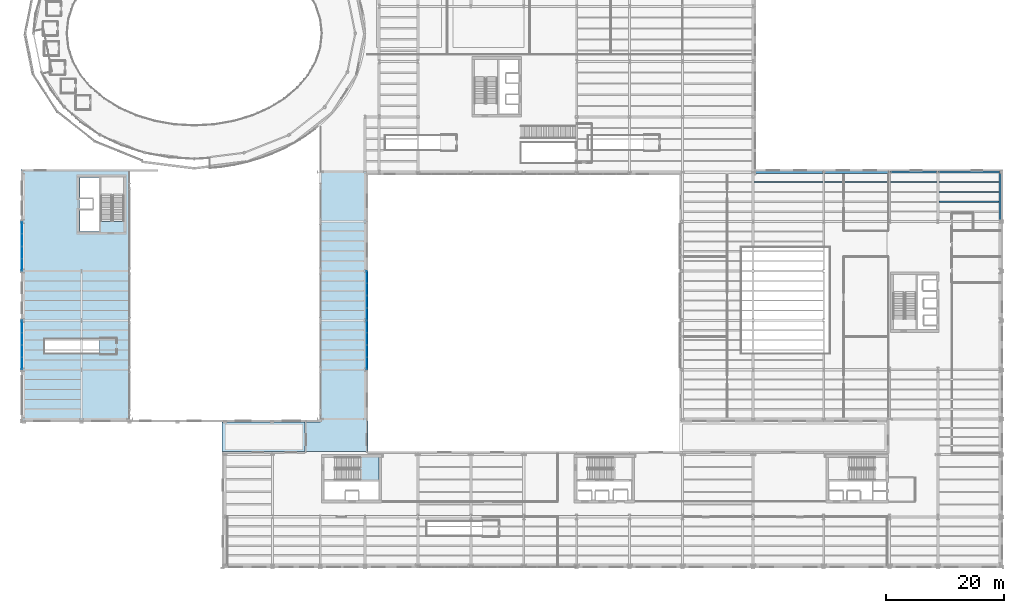
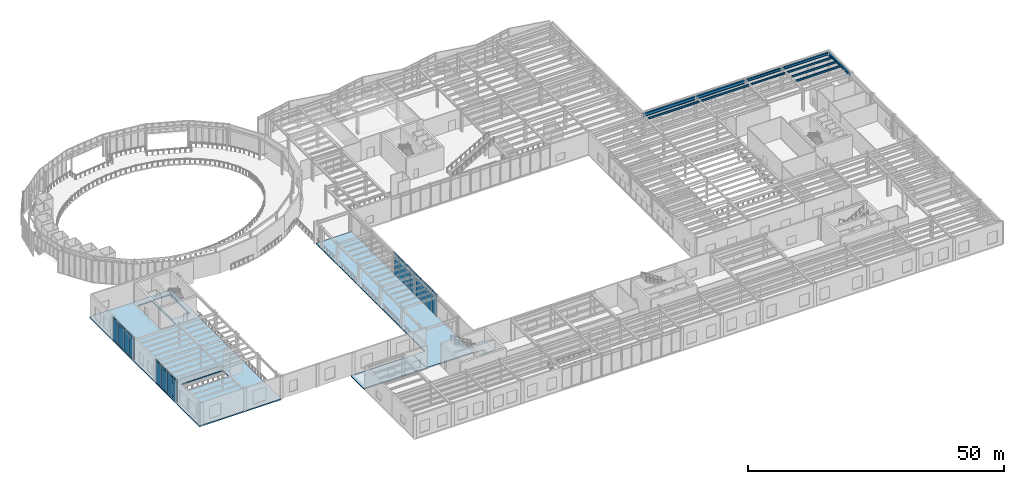
# One storey, part 67 of 98: 32 plates, 11 beams, 4 slabs, 9 elements without a shape of their own.
"""IFC4 building model written with IfcOpenShell, lengths in metres."""

from ifc_helpers import new_model, si_unit, direction, frame, origin, origin_2d, place, context, subcontext, project, spatial, polyline, rectangle, i_section, outline, extrude, material, layer, layer_set, material_profile, profile_set, type_object, element, aggregate, save


model = new_model("IFC4")

# Units and contexts
model_context = context("Model", 3, precision=1e-05, world=origin(), true_north=direction((0.0, 1.0)))
body_context = subcontext(model_context, "Body", "Model", "MODEL_VIEW")
ifc_project = project(units=[si_unit("LENGTHUNIT", "METRE"), si_unit("AREAUNIT", "SQUARE_METRE"), si_unit("VOLUMEUNIT", "CUBIC_METRE"), si_unit("PLANEANGLEUNIT", "RADIAN"), si_unit("MASSUNIT", "GRAM", prefix="KILO")], contexts=[model_context])

# Site, building, storey
site_placement = place(None, origin())
site = spatial("IfcSite", under=ifc_project, at=site_placement, CompositionType="ELEMENT")
building_placement = place(site_placement, origin())
building = spatial("IfcBuilding", under=site, at=building_placement, Name="Sollismere Congress Hotel", CompositionType="ELEMENT")
storey_placement = place(building_placement, frame((0.0, 0.0, 5.39990234375)))
storey = spatial("IfcBuildingStorey", under=building, at=storey_placement, Name="L01", CompositionType="ELEMENT", Elevation=5.39990234375)

# Beams
ifc_material_1 = material(Name="Steel ASTM A992 Grade 50", Category="steel")
ifc_material_profile_1 = material_profile(ifc_material_1, i_section(OverallWidth=0.324951171875, OverallDepth=0.612060546875, WebThickness=0.0126953125, FlangeThickness=0.01904296875, at=origin_2d()), Name="W24X104")
ifc_profile_set_1 = profile_set([ifc_material_profile_1], Name="Steel ASTM A992 Grade 50")
beam_type_1 = type_object("IfcBeamType", Name="BM-G24", PredefinedType="BEAM", material=ifc_profile_set_1)
beam_1_placement = place(storey_placement, frame((147.340087890625, 66.800048828125, 4.814208984375), z_axis=(1.0, 0.0, 0.0), x_axis=(0.0, 1.0, 0.0)))
element("IfcBeam", 1, at=beam_1_placement, inside=storey, type_object=beam_type_1, Name="Beam BM-L01-1598", PredefinedType="BEAM", context=body_context, shape_type="SweptSolid", body=[
    extrude(i_section(OverallWidth=0.324951171875, OverallDepth=0.612060546875, WebThickness=0.0126953125, FlangeThickness=0.01904296875, at=origin_2d()), origin(), (0.0, 0.0, 1.0), 7.919921875),
])
beam_2_placement = place(storey_placement, frame((155.5400390625, 66.800048828125, 4.814208984375), z_axis=(1.0, 0.0, 0.0), x_axis=(0.0, 1.0, 0.0)))
element("IfcBeam", 2, at=beam_2_placement, inside=storey, type_object=beam_type_1, Name="Beam BM-L01-1599", PredefinedType="BEAM", context=body_context, shape_type="SweptSolid", body=[
    extrude(i_section(OverallWidth=0.324951171875, OverallDepth=0.612060546875, WebThickness=0.0126953125, FlangeThickness=0.01904296875, at=origin_2d()), origin(), (0.0, 0.0, 1.0), 10.320068359375),
])
ifc_material_profile_2 = material_profile(ifc_material_1, i_section(OverallWidth=0.384033203125, OverallDepth=0.787109375, WebThickness=0.019775390625, FlangeThickness=0.033447265625, at=origin_2d()), Name="W30X211")
ifc_profile_set_2 = profile_set([ifc_material_profile_2], Name="Steel ASTM A992 Grade 50")
beam_type_2 = type_object("IfcBeamType", Name="BM-G30", PredefinedType="BEAM", material=ifc_profile_set_2)
beam_3_placement = place(storey_placement, frame((124.139892578125, 66.800048828125, 4.7265625), z_axis=(1.0, 0.0, 0.0), x_axis=(0.0, 1.0, 0.0)))
element("IfcBeam", 3, at=beam_3_placement, inside=storey, type_object=beam_type_2, Name="Beam BM-L01-1596", PredefinedType="BEAM", context=body_context, shape_type="SweptSolid", body=[
    extrude(i_section(OverallWidth=0.384033203125, OverallDepth=0.787109375, WebThickness=0.019775390625, FlangeThickness=0.033447265625, at=origin_2d()), origin(), (0.0, 0.0, 1.0), 11.72021484375),
])
beam_4_placement = place(storey_placement, frame((136.139892578125, 66.800048828125, 4.7265625), z_axis=(1.0, 0.0, 0.0), x_axis=(0.0, 1.0, 0.0)))
element("IfcBeam", 4, at=beam_4_placement, inside=storey, type_object=beam_type_2, Name="Beam BM-L01-1597", PredefinedType="BEAM", context=body_context, shape_type="SweptSolid", body=[
    extrude(i_section(OverallWidth=0.384033203125, OverallDepth=0.787109375, WebThickness=0.019775390625, FlangeThickness=0.033447265625, at=origin_2d()), origin(), (0.0, 0.0, 1.0), 10.920166015625),
])
ifc_material_profile_3 = material_profile(ifc_material_1, i_section(OverallWidth=0.180908203125, OverallDepth=0.4169921875, WebThickness=0.010986328125, FlangeThickness=0.018310546875, at=origin_2d()), Name="W16X57")
ifc_profile_set_3 = profile_set([ifc_material_profile_3], Name="Steel ASTM A992 Grade 50")
beam_type_3 = type_object("IfcBeamType", Name="BM-J16", PredefinedType="JOIST", material=ifc_profile_set_3)
beam_5_placement = place(storey_placement, frame((147.357421875, 65.1201171875, 4.91162109375), z_axis=(1.0, 0.0, 0.0), x_axis=(0.0, 1.0, 0.0)))
element("IfcBeam", 5, at=beam_5_placement, inside=storey, type_object=beam_type_3, Name="Beam BM-L01-1951", PredefinedType="JOIST", context=body_context, shape_type="SweptSolid", body=[
    extrude(i_section(OverallWidth=0.180908203125, OverallDepth=0.4169921875, WebThickness=0.010986328125, FlangeThickness=0.018310546875, at=origin_2d()), origin(), (0.0, 0.0, 1.0), 7.885009765625),
])
ifc_material_profile_4 = material_profile(ifc_material_1, i_section(OverallWidth=0.193115234375, OverallDepth=0.467041015625, WebThickness=0.011474609375, FlangeThickness=0.01904296875, at=origin_2d()), Name="W18X65")
ifc_profile_set_4 = profile_set([ifc_material_profile_4], Name="Steel ASTM A992 Grade 50")
beam_type_4 = type_object("IfcBeamType", Name="BM-J18", PredefinedType="JOIST", material=ifc_profile_set_4)
beam_6_placement = place(storey_placement, frame((124.157470703125, 65.1201171875, 4.88671875), z_axis=(1.0, 0.0, 0.0), x_axis=(0.0, 1.0, 0.0)))
element("IfcBeam", 6, at=beam_6_placement, inside=storey, type_object=beam_type_4, Name="Beam BM-L01-1927", PredefinedType="JOIST", context=body_context, shape_type="SweptSolid", body=[
    extrude(i_section(OverallWidth=0.193115234375, OverallDepth=0.467041015625, WebThickness=0.011474609375, FlangeThickness=0.01904296875, at=origin_2d()), origin(), (0.0, 0.0, 1.0), 11.68505859375),
])
beam_7_placement = place(storey_placement, frame((136.157470703125, 65.1201171875, 4.88671875), z_axis=(1.0, 0.0, 0.0), x_axis=(0.0, 1.0, 0.0)))
element("IfcBeam", 7, at=beam_7_placement, inside=storey, type_object=beam_type_4, Name="Beam BM-L01-1939", PredefinedType="JOIST", context=body_context, shape_type="SweptSolid", body=[
    extrude(i_section(OverallWidth=0.193115234375, OverallDepth=0.467041015625, WebThickness=0.011474609375, FlangeThickness=0.01904296875, at=origin_2d()), origin(), (0.0, 0.0, 1.0), 10.885009765625),
])
for number, where, z_axis, x_axis, name in (
    (8, (155.5576171875, 61.760009765625, 4.88671875), (1.0, 0.0, 0.0), (0.0, 1.0, 0.0), "Beam BM-L01-1968"),
    (9, (155.5576171875, 63.43994140625, 4.88671875), (1.0, 0.0, 0.0), (0.0, 1.0, 0.0), "Beam BM-L01-1969"),
    (10, (155.5576171875, 65.1201171875, 4.88671875), (1.0, 0.0, 0.0), (0.0, 1.0, 0.0), "Beam BM-L01-1970"),
):
    element("IfcBeam", number, at=place(storey_placement, frame(where, z_axis=z_axis, x_axis=x_axis)), inside=storey, type_object=beam_type_4, Name=name, PredefinedType="JOIST", context=body_context, shape_type="SweptSolid", body=[
        extrude(i_section(OverallWidth=0.193115234375, OverallDepth=0.467041015625, WebThickness=0.011474609375, FlangeThickness=0.01904296875, at=origin_2d()), origin(), (0.0, 0.0, 1.0), 10.27734375),
    ])
ifc_material_profile_5 = material_profile(ifc_material_1, i_section(OverallWidth=0.330078125, OverallDepth=0.635009765625, WebThickness=0.017822265625, FlangeThickness=0.031005859375, at=origin_2d()), Name="W24X162")
ifc_profile_set_5 = profile_set([ifc_material_profile_5], Name="Steel ASTM A992 Grade 50")
beam_type_5 = type_object("IfcBeamType", Name="BM-SP24E", PredefinedType="SPANDREL", material=ifc_profile_set_5)
beam_8_placement = place(storey_placement, frame((166.0, 58.5400390625, 4.802490234375), z_axis=(0.0, 1.0, 0.0), x_axis=(-1.0, 0.0, 0.0)))
element("IfcBeam", 11, at=beam_8_placement, inside=storey, type_object=beam_type_5, Name="Beam BM-L01-1722", PredefinedType="SPANDREL", context=body_context, shape_type="SweptSolid", body=[
    extrude(i_section(OverallWidth=0.330078125, OverallDepth=0.635009765625, WebThickness=0.017822265625, FlangeThickness=0.031005859375, at=origin_2d()), origin(), (0.0, 0.0, 1.0), 8.119873046875),
])

# Curtain wall, plates
ifc_material_2 = material(Name="Anodized Bronze Curtain Wall & Low-E Triple Glazing", Category="glass")
ifc_layer_1 = layer(ifc_material_2, 0.199951171875, Name="Anodized Bronze Curtain Wall & Low-E Triple Glazing")
ifc_layer_set_1 = layer_set([ifc_layer_1], Name="Anodized Bronze Curtain Wall & Low-E Triple Glazing")
curtain_wall_type = type_object("IfcCurtainWallType", Name="CW-GLZ36", PredefinedType="USERDEFINED", material=ifc_layer_set_1)
curtain_wall_1_placement = place(storey_placement, origin())
curtain_wall_1 = element("IfcCurtainWall", 12, at=curtain_wall_1_placement, inside=storey, type_object=curtain_wall_type, Name="Unitised curtain wall CW-L01-127", ObjectType="UNITISED CURTAIN WALL", PredefinedType="USERDEFINED")
ifc_material_3 = material(Name="Blue-Tinted Solar-Control Low-E Vision Glass", Category="glass")
ifc_layer_2 = layer(ifc_material_3, 0.035888671875, Name="Blue-Tinted Solar-Control Low-E Vision Glass")
ifc_layer_set_2 = layer_set([ifc_layer_2], Name="Blue-Tinted Solar-Control Low-E Vision Glass")
plate_type_1 = type_object("IfcPlateType", Name="PL-CWGLZ", PredefinedType="CURTAIN_PANEL", material=ifc_layer_set_2)
plate_1_placement = place(storey_placement, frame((-0.31005859375, 34.276611328125, 0.05322265625), z_axis=(0.0, 0.0, 1.0), x_axis=(0.0, 1.0, 0.0)))
plate_1 = element("IfcPlate", 13, at=plate_1_placement, type_object=plate_type_1, Name="CWL-CW-L01-127-VP01", PredefinedType="CURTAIN_PANEL", context=body_context, shape_type="SweptSolid", body=[
    extrude(rectangle(XDim=2.006103515625, YDim=0.035888671875, at=origin_2d()), origin(), (0.0, 0.0, 1.0), 4.60888671875),
])
plate_2_placement = place(storey_placement, frame((-0.31005859375, 36.33349609375, 0.05322265625), z_axis=(0.0, 0.0, 1.0), x_axis=(0.0, 1.0, 0.0)))
plate_2 = element("IfcPlate", 14, at=plate_2_placement, type_object=plate_type_1, Name="CWL-CW-L01-127-VP02", PredefinedType="CURTAIN_PANEL", context=body_context, shape_type="SweptSolid", body=[
    extrude(rectangle(XDim=2.006103515625, YDim=0.035888671875, at=origin_2d()), origin(), (0.0, 0.0, 1.0), 4.60888671875),
])

curtain_wall_2_placement = place(storey_placement, origin())
curtain_wall_2 = element("IfcCurtainWall", 15, at=curtain_wall_2_placement, inside=storey, type_object=curtain_wall_type, Name="Unitised curtain wall CW-L01-128", ObjectType="UNITISED CURTAIN WALL", PredefinedType="USERDEFINED")
plate_3_placement = place(storey_placement, frame((-0.31005859375, 38.466552734375, 0.05322265625), z_axis=(0.0, 0.0, 1.0), x_axis=(0.0, 1.0, 0.0)))
plate_3 = element("IfcPlate", 16, at=plate_3_placement, type_object=plate_type_1, Name="CWL-CW-L01-128-VP01", PredefinedType="CURTAIN_PANEL", context=body_context, shape_type="SweptSolid", body=[
    extrude(rectangle(XDim=2.006103515625, YDim=0.035888671875, at=origin_2d()), origin(), (0.0, 0.0, 1.0), 4.60888671875),
])
plate_4_placement = place(storey_placement, frame((-0.31005859375, 40.5234375, 0.05322265625), z_axis=(0.0, 0.0, 1.0), x_axis=(0.0, 1.0, 0.0)))
plate_4 = element("IfcPlate", 17, at=plate_4_placement, type_object=plate_type_1, Name="CWL-CW-L01-128-VP02", PredefinedType="CURTAIN_PANEL", context=body_context, shape_type="SweptSolid", body=[
    extrude(rectangle(XDim=2.006103515625, YDim=0.035888671875, at=origin_2d()), origin(), (0.0, 0.0, 1.0), 4.60888671875),
])

curtain_wall_3_placement = place(storey_placement, origin())
curtain_wall_3 = element("IfcCurtainWall", 18, at=curtain_wall_3_placement, inside=storey, type_object=curtain_wall_type, Name="Unitised curtain wall CW-L01-129", ObjectType="UNITISED CURTAIN WALL", PredefinedType="USERDEFINED")
plate_5_placement = place(storey_placement, frame((-0.31005859375, 51.076416015625, 0.05322265625), z_axis=(0.0, 0.0, 1.0), x_axis=(0.0, 1.0, 0.0)))
plate_5 = element("IfcPlate", 19, at=plate_5_placement, type_object=plate_type_1, Name="CWL-CW-L01-129-VP01", PredefinedType="CURTAIN_PANEL", context=body_context, shape_type="SweptSolid", body=[
    extrude(rectangle(XDim=2.006103515625, YDim=0.035888671875, at=origin_2d()), origin(), (0.0, 0.0, 1.0), 4.60888671875),
])
plate_6_placement = place(storey_placement, frame((-0.31005859375, 53.133544921875, 0.05322265625), z_axis=(0.0, 0.0, 1.0), x_axis=(0.0, 1.0, 0.0)))
plate_6 = element("IfcPlate", 20, at=plate_6_placement, type_object=plate_type_1, Name="CWL-CW-L01-129-VP02", PredefinedType="CURTAIN_PANEL", context=body_context, shape_type="SweptSolid", body=[
    extrude(rectangle(XDim=2.006103515625, YDim=0.035888671875, at=origin_2d()), origin(), (0.0, 0.0, 1.0), 4.60888671875),
])

curtain_wall_4_placement = place(storey_placement, origin())
curtain_wall_4 = element("IfcCurtainWall", 21, at=curtain_wall_4_placement, inside=storey, type_object=curtain_wall_type, Name="Unitised curtain wall CW-L01-130", ObjectType="UNITISED CURTAIN WALL", PredefinedType="USERDEFINED")
plate_7_placement = place(storey_placement, frame((-0.31005859375, 55.2666015625, 0.05322265625), z_axis=(0.0, 0.0, 1.0), x_axis=(0.0, 1.0, 0.0)))
plate_7 = element("IfcPlate", 22, at=plate_7_placement, type_object=plate_type_1, Name="CWL-CW-L01-130-VP01", PredefinedType="CURTAIN_PANEL", context=body_context, shape_type="SweptSolid", body=[
    extrude(rectangle(XDim=2.006103515625, YDim=0.035888671875, at=origin_2d()), origin(), (0.0, 0.0, 1.0), 4.60888671875),
])
plate_8_placement = place(storey_placement, frame((-0.31005859375, 57.323486328125, 0.05322265625), z_axis=(0.0, 0.0, 1.0), x_axis=(0.0, 1.0, 0.0)))
plate_8 = element("IfcPlate", 23, at=plate_8_placement, type_object=plate_type_1, Name="CWL-CW-L01-130-VP02", PredefinedType="CURTAIN_PANEL", context=body_context, shape_type="SweptSolid", body=[
    extrude(rectangle(XDim=2.006103515625, YDim=0.035888671875, at=origin_2d()), origin(), (0.0, 0.0, 1.0), 4.60888671875),
])

curtain_wall_5_placement = place(storey_placement, origin())
curtain_wall_5 = element("IfcCurtainWall", 24, at=curtain_wall_5_placement, inside=storey, type_object=curtain_wall_type, Name="Unitised curtain wall CW-L01-131", ObjectType="UNITISED CURTAIN WALL", PredefinedType="USERDEFINED")
plate_9_placement = place(storey_placement, frame((58.31005859375, 34.276611328125, 0.05322265625), z_axis=(0.0, 0.0, 1.0), x_axis=(0.0, 1.0, 0.0)))
plate_9 = element("IfcPlate", 25, at=plate_9_placement, type_object=plate_type_1, Name="CWL-CW-L01-131-VP01", PredefinedType="CURTAIN_PANEL", context=body_context, shape_type="SweptSolid", body=[
    extrude(rectangle(XDim=2.006103515625, YDim=0.035888671875, at=origin_2d()), origin(), (0.0, 0.0, 1.0), 4.60888671875),
])
plate_10_placement = place(storey_placement, frame((58.31005859375, 36.33349609375, 0.05322265625), z_axis=(0.0, 0.0, 1.0), x_axis=(0.0, 1.0, 0.0)))
plate_10 = element("IfcPlate", 26, at=plate_10_placement, type_object=plate_type_1, Name="CWL-CW-L01-131-VP02", PredefinedType="CURTAIN_PANEL", context=body_context, shape_type="SweptSolid", body=[
    extrude(rectangle(XDim=2.006103515625, YDim=0.035888671875, at=origin_2d()), origin(), (0.0, 0.0, 1.0), 4.60888671875),
])

curtain_wall_6_placement = place(storey_placement, origin())
curtain_wall_6 = element("IfcCurtainWall", 27, at=curtain_wall_6_placement, inside=storey, type_object=curtain_wall_type, Name="Unitised curtain wall CW-L01-132", ObjectType="UNITISED CURTAIN WALL", PredefinedType="USERDEFINED")
plate_11_placement = place(storey_placement, frame((58.31005859375, 38.466552734375, 0.05322265625), z_axis=(0.0, 0.0, 1.0), x_axis=(0.0, 1.0, 0.0)))
plate_11 = element("IfcPlate", 28, at=plate_11_placement, type_object=plate_type_1, Name="CWL-CW-L01-132-VP01", PredefinedType="CURTAIN_PANEL", context=body_context, shape_type="SweptSolid", body=[
    extrude(rectangle(XDim=2.006103515625, YDim=0.035888671875, at=origin_2d()), origin(), (0.0, 0.0, 1.0), 4.60888671875),
])
plate_12_placement = place(storey_placement, frame((58.31005859375, 40.5234375, 0.05322265625), z_axis=(0.0, 0.0, 1.0), x_axis=(0.0, 1.0, 0.0)))
plate_12 = element("IfcPlate", 29, at=plate_12_placement, type_object=plate_type_1, Name="CWL-CW-L01-132-VP02", PredefinedType="CURTAIN_PANEL", context=body_context, shape_type="SweptSolid", body=[
    extrude(rectangle(XDim=2.006103515625, YDim=0.035888671875, at=origin_2d()), origin(), (0.0, 0.0, 1.0), 4.60888671875),
])

curtain_wall_7_placement = place(storey_placement, origin())
curtain_wall_7 = element("IfcCurtainWall", 30, at=curtain_wall_7_placement, inside=storey, type_object=curtain_wall_type, Name="Unitised curtain wall CW-L01-133", ObjectType="UNITISED CURTAIN WALL", PredefinedType="USERDEFINED")
plate_13_placement = place(storey_placement, frame((58.31005859375, 42.676513671875, 0.05322265625), z_axis=(0.0, 0.0, 1.0), x_axis=(0.0, 1.0, 0.0)))
plate_13 = element("IfcPlate", 31, at=plate_13_placement, type_object=plate_type_1, Name="CWL-CW-L01-133-VP01", PredefinedType="CURTAIN_PANEL", context=body_context, shape_type="SweptSolid", body=[
    extrude(rectangle(XDim=2.006103515625, YDim=0.035888671875, at=origin_2d()), origin(), (0.0, 0.0, 1.0), 4.60888671875),
])
plate_14_placement = place(storey_placement, frame((58.31005859375, 44.7333984375, 0.05322265625), z_axis=(0.0, 0.0, 1.0), x_axis=(0.0, 1.0, 0.0)))
plate_14 = element("IfcPlate", 32, at=plate_14_placement, type_object=plate_type_1, Name="CWL-CW-L01-133-VP02", PredefinedType="CURTAIN_PANEL", context=body_context, shape_type="SweptSolid", body=[
    extrude(rectangle(XDim=2.006103515625, YDim=0.035888671875, at=origin_2d()), origin(), (0.0, 0.0, 1.0), 4.60888671875),
])

curtain_wall_8_placement = place(storey_placement, origin())
curtain_wall_8 = element("IfcCurtainWall", 33, at=curtain_wall_8_placement, inside=storey, type_object=curtain_wall_type, Name="Unitised curtain wall CW-L01-134", ObjectType="UNITISED CURTAIN WALL", PredefinedType="USERDEFINED")
plate_15_placement = place(storey_placement, frame((58.31005859375, 46.866455078125, 0.05322265625), z_axis=(0.0, 0.0, 1.0), x_axis=(0.0, 1.0, 0.0)))
plate_15 = element("IfcPlate", 34, at=plate_15_placement, type_object=plate_type_1, Name="CWL-CW-L01-134-VP01", PredefinedType="CURTAIN_PANEL", context=body_context, shape_type="SweptSolid", body=[
    extrude(rectangle(XDim=2.006103515625, YDim=0.035888671875, at=origin_2d()), origin(), (0.0, 0.0, 1.0), 4.60888671875),
])
plate_16_placement = place(storey_placement, frame((58.31005859375, 48.923583984375, 0.05322265625), z_axis=(0.0, 0.0, 1.0), x_axis=(0.0, 1.0, 0.0)))
plate_16 = element("IfcPlate", 35, at=plate_16_placement, type_object=plate_type_1, Name="CWL-CW-L01-134-VP02", PredefinedType="CURTAIN_PANEL", context=body_context, shape_type="SweptSolid", body=[
    extrude(rectangle(XDim=2.006103515625, YDim=0.035888671875, at=origin_2d()), origin(), (0.0, 0.0, 1.0), 4.60888671875),
])

# Plate
ifc_material_4 = material(Name="Anodized Bronze Insulated Spandrel Panel")
ifc_layer_3 = layer(ifc_material_4, 0.044921875, Name="Anodized Bronze Insulated Spandrel Panel")
ifc_layer_set_3 = layer_set([ifc_layer_3], Name="Anodized Bronze Insulated Spandrel Panel")
plate_type_2 = type_object("IfcPlateType", Name="PL-CWSPN", PredefinedType="SHEET", material=ifc_layer_set_3)
plate_17_placement = place(storey_placement, frame((-0.31005859375, 34.276611328125, 4.77783203125), z_axis=(0.0, 0.0, 1.0), x_axis=(0.0, 1.0, 0.0)))
plate_17 = element("IfcPlate", 36, at=plate_17_placement, type_object=plate_type_2, Name="CWL-CW-L01-127-SP01", PredefinedType="SHEET", context=body_context, shape_type="SweptSolid", body=[
    extrude(rectangle(XDim=2.006103515625, YDim=0.044921875, at=origin_2d()), origin(), (0.0, 0.0, 1.0), 0.569091796875),
])

plate_18_placement = place(storey_placement, frame((-0.31005859375, 36.33349609375, 4.77783203125), z_axis=(0.0, 0.0, 1.0), x_axis=(0.0, 1.0, 0.0)))
plate_18 = element("IfcPlate", 37, at=plate_18_placement, type_object=plate_type_2, Name="CWL-CW-L01-127-SP02", PredefinedType="SHEET", context=body_context, shape_type="SweptSolid", body=[
    extrude(rectangle(XDim=2.006103515625, YDim=0.044921875, at=origin_2d()), origin(), (0.0, 0.0, 1.0), 0.569091796875),
])

aggregate(curtain_wall_1, [plate_1, plate_17, plate_2, plate_18])

plate_19_placement = place(storey_placement, frame((-0.31005859375, 38.466552734375, 4.77783203125), z_axis=(0.0, 0.0, 1.0), x_axis=(0.0, 1.0, 0.0)))
plate_19 = element("IfcPlate", 38, at=plate_19_placement, type_object=plate_type_2, Name="CWL-CW-L01-128-SP01", PredefinedType="SHEET", context=body_context, shape_type="SweptSolid", body=[
    extrude(rectangle(XDim=2.006103515625, YDim=0.044921875, at=origin_2d()), origin(), (0.0, 0.0, 1.0), 0.569091796875),
])

plate_20_placement = place(storey_placement, frame((-0.31005859375, 40.5234375, 4.77783203125), z_axis=(0.0, 0.0, 1.0), x_axis=(0.0, 1.0, 0.0)))
plate_20 = element("IfcPlate", 39, at=plate_20_placement, type_object=plate_type_2, Name="CWL-CW-L01-128-SP02", PredefinedType="SHEET", context=body_context, shape_type="SweptSolid", body=[
    extrude(rectangle(XDim=2.006103515625, YDim=0.044921875, at=origin_2d()), origin(), (0.0, 0.0, 1.0), 0.569091796875),
])

aggregate(curtain_wall_2, [plate_3, plate_19, plate_4, plate_20])

plate_21_placement = place(storey_placement, frame((-0.31005859375, 51.076416015625, 4.77783203125), z_axis=(0.0, 0.0, 1.0), x_axis=(0.0, 1.0, 0.0)))
plate_21 = element("IfcPlate", 40, at=plate_21_placement, type_object=plate_type_2, Name="CWL-CW-L01-129-SP01", PredefinedType="SHEET", context=body_context, shape_type="SweptSolid", body=[
    extrude(rectangle(XDim=2.006103515625, YDim=0.044921875, at=origin_2d()), origin(), (0.0, 0.0, 1.0), 0.569091796875),
])

plate_22_placement = place(storey_placement, frame((-0.31005859375, 53.133544921875, 4.77783203125), z_axis=(0.0, 0.0, 1.0), x_axis=(0.0, 1.0, 0.0)))
plate_22 = element("IfcPlate", 41, at=plate_22_placement, type_object=plate_type_2, Name="CWL-CW-L01-129-SP02", PredefinedType="SHEET", context=body_context, shape_type="SweptSolid", body=[
    extrude(rectangle(XDim=2.006103515625, YDim=0.044921875, at=origin_2d()), origin(), (0.0, 0.0, 1.0), 0.569091796875),
])

aggregate(curtain_wall_3, [plate_5, plate_21, plate_6, plate_22])

plate_23_placement = place(storey_placement, frame((-0.31005859375, 55.2666015625, 4.77783203125), z_axis=(0.0, 0.0, 1.0), x_axis=(0.0, 1.0, 0.0)))
plate_23 = element("IfcPlate", 42, at=plate_23_placement, type_object=plate_type_2, Name="CWL-CW-L01-130-SP01", PredefinedType="SHEET", context=body_context, shape_type="SweptSolid", body=[
    extrude(rectangle(XDim=2.006103515625, YDim=0.044921875, at=origin_2d()), origin(), (0.0, 0.0, 1.0), 0.569091796875),
])

plate_24_placement = place(storey_placement, frame((-0.31005859375, 57.323486328125, 4.77783203125), z_axis=(0.0, 0.0, 1.0), x_axis=(0.0, 1.0, 0.0)))
plate_24 = element("IfcPlate", 43, at=plate_24_placement, type_object=plate_type_2, Name="CWL-CW-L01-130-SP02", PredefinedType="SHEET", context=body_context, shape_type="SweptSolid", body=[
    extrude(rectangle(XDim=2.006103515625, YDim=0.044921875, at=origin_2d()), origin(), (0.0, 0.0, 1.0), 0.569091796875),
])

aggregate(curtain_wall_4, [plate_7, plate_23, plate_8, plate_24])

plate_25_placement = place(storey_placement, frame((58.31005859375, 34.276611328125, 4.77783203125), z_axis=(0.0, 0.0, 1.0), x_axis=(0.0, 1.0, 0.0)))
plate_25 = element("IfcPlate", 44, at=plate_25_placement, type_object=plate_type_2, Name="CWL-CW-L01-131-SP01", PredefinedType="SHEET", context=body_context, shape_type="SweptSolid", body=[
    extrude(rectangle(XDim=2.006103515625, YDim=0.044921875, at=origin_2d()), origin(), (0.0, 0.0, 1.0), 0.569091796875),
])

plate_26_placement = place(storey_placement, frame((58.31005859375, 36.33349609375, 4.77783203125), z_axis=(0.0, 0.0, 1.0), x_axis=(0.0, 1.0, 0.0)))
plate_26 = element("IfcPlate", 45, at=plate_26_placement, type_object=plate_type_2, Name="CWL-CW-L01-131-SP02", PredefinedType="SHEET", context=body_context, shape_type="SweptSolid", body=[
    extrude(rectangle(XDim=2.006103515625, YDim=0.044921875, at=origin_2d()), origin(), (0.0, 0.0, 1.0), 0.569091796875),
])

aggregate(curtain_wall_5, [plate_9, plate_25, plate_10, plate_26])

plate_27_placement = place(storey_placement, frame((58.31005859375, 38.466552734375, 4.77783203125), z_axis=(0.0, 0.0, 1.0), x_axis=(0.0, 1.0, 0.0)))
plate_27 = element("IfcPlate", 46, at=plate_27_placement, type_object=plate_type_2, Name="CWL-CW-L01-132-SP01", PredefinedType="SHEET", context=body_context, shape_type="SweptSolid", body=[
    extrude(rectangle(XDim=2.006103515625, YDim=0.044921875, at=origin_2d()), origin(), (0.0, 0.0, 1.0), 0.569091796875),
])

plate_28_placement = place(storey_placement, frame((58.31005859375, 40.5234375, 4.77783203125), z_axis=(0.0, 0.0, 1.0), x_axis=(0.0, 1.0, 0.0)))
plate_28 = element("IfcPlate", 47, at=plate_28_placement, type_object=plate_type_2, Name="CWL-CW-L01-132-SP02", PredefinedType="SHEET", context=body_context, shape_type="SweptSolid", body=[
    extrude(rectangle(XDim=2.006103515625, YDim=0.044921875, at=origin_2d()), origin(), (0.0, 0.0, 1.0), 0.569091796875),
])

aggregate(curtain_wall_6, [plate_11, plate_27, plate_12, plate_28])

plate_29_placement = place(storey_placement, frame((58.31005859375, 42.676513671875, 4.77783203125), z_axis=(0.0, 0.0, 1.0), x_axis=(0.0, 1.0, 0.0)))
plate_29 = element("IfcPlate", 48, at=plate_29_placement, type_object=plate_type_2, Name="CWL-CW-L01-133-SP01", PredefinedType="SHEET", context=body_context, shape_type="SweptSolid", body=[
    extrude(rectangle(XDim=2.006103515625, YDim=0.044921875, at=origin_2d()), origin(), (0.0, 0.0, 1.0), 0.569091796875),
])

plate_30_placement = place(storey_placement, frame((58.31005859375, 44.7333984375, 4.77783203125), z_axis=(0.0, 0.0, 1.0), x_axis=(0.0, 1.0, 0.0)))
plate_30 = element("IfcPlate", 49, at=plate_30_placement, type_object=plate_type_2, Name="CWL-CW-L01-133-SP02", PredefinedType="SHEET", context=body_context, shape_type="SweptSolid", body=[
    extrude(rectangle(XDim=2.006103515625, YDim=0.044921875, at=origin_2d()), origin(), (0.0, 0.0, 1.0), 0.569091796875),
])

aggregate(curtain_wall_7, [plate_13, plate_29, plate_14, plate_30])

plate_31_placement = place(storey_placement, frame((58.31005859375, 46.866455078125, 4.77783203125), z_axis=(0.0, 0.0, 1.0), x_axis=(0.0, 1.0, 0.0)))
plate_31 = element("IfcPlate", 50, at=plate_31_placement, type_object=plate_type_2, Name="CWL-CW-L01-134-SP01", PredefinedType="SHEET", context=body_context, shape_type="SweptSolid", body=[
    extrude(rectangle(XDim=2.006103515625, YDim=0.044921875, at=origin_2d()), origin(), (0.0, 0.0, 1.0), 0.569091796875),
])

plate_32_placement = place(storey_placement, frame((58.31005859375, 48.923583984375, 4.77783203125), z_axis=(0.0, 0.0, 1.0), x_axis=(0.0, 1.0, 0.0)))
plate_32 = element("IfcPlate", 51, at=plate_32_placement, type_object=plate_type_2, Name="CWL-CW-L01-134-SP02", PredefinedType="SHEET", context=body_context, shape_type="SweptSolid", body=[
    extrude(rectangle(XDim=2.006103515625, YDim=0.044921875, at=origin_2d()), origin(), (0.0, 0.0, 1.0), 0.569091796875),
])

aggregate(curtain_wall_8, [plate_15, plate_31, plate_16, plate_32])

# Slabs
ifc_material_5 = material(Name="Concrete C40/50", Category="concrete")
ifc_layer_4 = layer(ifc_material_5, 0.284912109375, Name="Concrete C40/50")
ifc_layer_set_4 = layer_set([ifc_layer_4], Name="Concrete C40/50")
slab_type_1 = type_object("IfcSlabType", Name="SL-FLR285", PredefinedType="FLOOR", material=ifc_layer_set_4)
slab_1_placement = place(storey_placement, frame((0.0, 0.0, -0.284912109375)))
element("IfcSlab", 52, at=slab_1_placement, inside=storey, type_object=slab_type_1, Name="Slab SL-L01-V3A", PredefinedType="FLOOR", context=body_context, shape_type="SweptSolid", body=[
    extrude(outline(polyline([(47.800048828125, 19.280029296875), (58.47998046875, 19.280029296875), (58.47998046875, 24.320068359375), (58.47998046875, 66.320068359375), (58.47998046875, 66.800048828125), (58.0, 66.800048828125), (50.39990234375, 66.800048828125), (50.39990234375, 24.320068359375), (47.800048828125, 24.320068359375), (47.800048828125, 19.280029296875)])), origin(), (0.0, 0.0, 1.0), 0.284912109375),
])
slab_2_placement = place(storey_placement, frame((0.0, 0.0, -0.284912109375)))
element("IfcSlab", 53, at=slab_2_placement, inside=storey, type_object=slab_type_1, Name="Slab SL-L01-V3B", PredefinedType="FLOOR", context=body_context, shape_type="SweptSolid", body=[
    extrude(outline(polyline([(18.0, 24.320068359375), (18.0, 67.280029296875), (-0.47998046875, 67.280029296875), (-0.47998046875, 24.320068359375), (18.0, 24.320068359375)]), holes=[polyline([(3.550048828125, 38.39990234375), (12.8994140625, 38.39990234375), (12.8994140625, 36.0), (3.550048828125, 36.0), (3.550048828125, 38.39990234375)]), polyline([(9.5400390625, 60.554931640625), (9.4599609375, 60.554931640625), (9.4599609375, 62.2451171875), (9.5400390625, 62.2451171875), (9.5400390625, 65.860107421875), (12.830078125, 65.860107421875), (12.830078125, 56.739990234375), (9.5400390625, 56.739990234375), (9.5400390625, 60.554931640625)]), polyline([(13.10009765625, 66.0), (17.0, 66.0), (17.0, 58.45068359375), (13.10009765625, 58.45068359375), (13.10009765625, 66.0)])]), origin(), (0.0, 0.0, 1.0), 0.284912109375),
])

# Stair, slab
stair_type = type_object("IfcStairType", Name="STR-DL-540", PredefinedType="HALF_TURN_STAIR", material=ifc_material_5)
stair_placement = place(storey_placement, origin())
stair = element("IfcStair", 54, at=stair_placement, inside=storey, type_object=stair_type, Name="Protected exit stair ST-06-L01", PredefinedType="HALF_TURN_STAIR")
ifc_layer_5 = layer(ifc_material_5, 0.199951171875, Name="Concrete C40/50")
ifc_layer_set_5 = layer_set([ifc_layer_5], Name="Concrete C40/50")
slab_type_2 = type_object("IfcSlabType", Name="SL-LND200", PredefinedType="LANDING", material=ifc_layer_set_5)
slab_3_placement = place(storey_placement, frame((0.0, 0.0, 2.5)))
slab_3 = element("IfcSlab", 55, at=slab_3_placement, type_object=slab_type_2, Name="Exit stair half-landing ST-06-L01-L1", PredefinedType="LANDING", context=body_context, shape_type="SweptSolid", body=[
    extrude(outline(polyline([(57.199951171875, 14.449951171875), (60.39990234375, 14.449951171875), (60.39990234375, 18.35009765625), (57.199951171875, 18.35009765625), (57.199951171875, 14.449951171875)])), origin(), (0.0, 0.0, 1.0), 0.2001953125),
])
aggregate(stair, [slab_3])

# Slab
ifc_layer_6 = layer(ifc_material_5, 0.27490234375, Name="Concrete C40/50")
ifc_layer_set_6 = layer_set([ifc_layer_6], Name="Concrete C40/50")
slab_type_3 = type_object("IfcSlabType", Name="SL-ROOF275", PredefinedType="ROOF", material=ifc_layer_set_6)
slab_4_placement = place(storey_placement, frame((0.0, 0.0, -0.27490234375)))
element("IfcSlab", 56, at=slab_4_placement, inside=storey, type_object=slab_type_3, Name="Slab SL-L01-WLK", PredefinedType="ROOF", context=body_context, shape_type="SweptSolid", body=[
    extrude(outline(polyline([(47.800048828125, 19.280029296875), (47.800048828125, 24.320068359375), (33.719970703125, 24.320068359375), (33.719970703125, 19.280029296875), (47.800048828125, 19.280029296875)])), origin(), (0.0, 0.0, 1.0), 0.27490234375),
])

save(model, "model.ifc")
